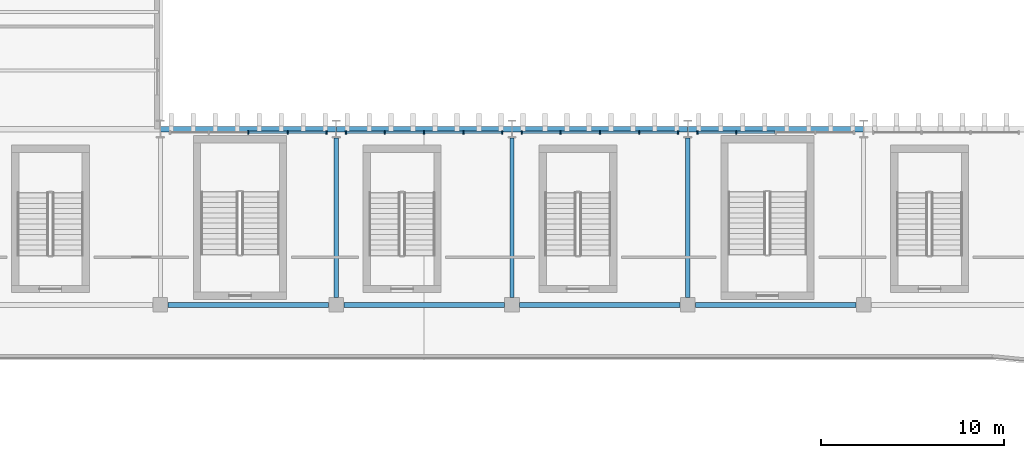
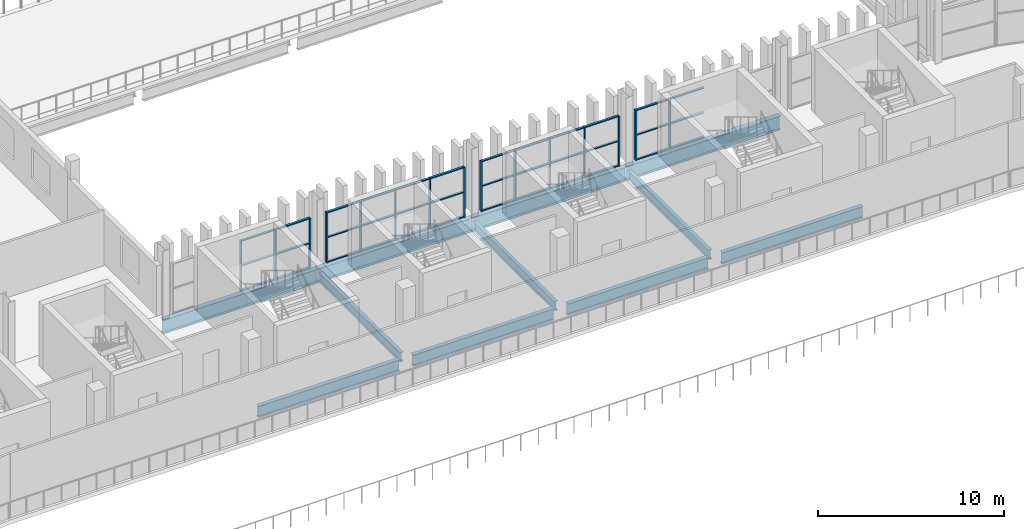
# One storey, part 15 of 75: 51 members, 11 beams, 4 elements without a shape of their own.
"""IFC4 building model written with IfcOpenShell, lengths in metres."""

from ifc_helpers import new_model, si_unit, direction, frame, origin, origin_2d, place, context, subcontext, project, spatial, rectangle, i_section, extrude, material, layer, layer_set, material_profile, profile_set, type_object, element, aggregate, save


model = new_model("IFC4")

# Units and contexts
model_context = context("Model", 3, precision=1e-05, world=origin(), true_north=direction((0.0, 1.0)))
body_context = subcontext(model_context, "Body", "Model", "MODEL_VIEW")
ifc_project = project(units=[si_unit("LENGTHUNIT", "METRE"), si_unit("AREAUNIT", "SQUARE_METRE"), si_unit("VOLUMEUNIT", "CUBIC_METRE"), si_unit("PLANEANGLEUNIT", "RADIAN"), si_unit("MASSUNIT", "GRAM", prefix="KILO")], contexts=[model_context])

# Site, building, storey
site_placement = place(None, origin())
site = spatial("IfcSite", under=ifc_project, at=site_placement, CompositionType="ELEMENT")
building_placement = place(site_placement, origin())
building = spatial("IfcBuilding", under=site, at=building_placement, Name="Caelomonte Colonnade Arena", CompositionType="ELEMENT")
storey_placement = place(building_placement, frame((0.0, 0.0, 14.10009765625)))
storey = spatial("IfcBuildingStorey", under=building, at=storey_placement, Name="L03", CompositionType="ELEMENT", Elevation=14.10009765625)

# Curtain wall, members
ifc_material_1 = material(Name="Bronze anodised aluminium and low-E glazing", Category="aluminium")
ifc_layer = layer(ifc_material_1, 0.179931640625)
ifc_layer_set = layer_set([ifc_layer], Name="Bronze anodised aluminium and low-E glazing")
curtain_wall_type = type_object("IfcCurtainWallType", Name="ENV-CW-CW-L03-96-33", PredefinedType="USERDEFINED", material=ifc_layer_set)
curtain_wall_1_placement = place(storey_placement, origin())
curtain_wall_1 = element("IfcCurtainWall", 1, at=curtain_wall_1_placement, inside=storey, type_object=curtain_wall_type, Name="L03 unitized curtain wall CW-L03-1296-1150", ObjectType="UNITIZED CURTAIN WALL", PredefinedType="USERDEFINED")
ifc_material_2 = material(Name="Bronze anodised aluminium AA6063-T6", Category="aluminium")
ifc_material_profile_1 = material_profile(ifc_material_2, rectangle(XDim=0.070068359375, YDim=0.179931640625, at=origin_2d()), Name="CWM-70X180")
ifc_profile_set_1 = profile_set([ifc_material_profile_1], Name="Bronze anodised aluminium AA6063-T6")
member_type_1 = type_object("IfcMemberType", Name="ENV-CW-MULL1", PredefinedType="MULLION", material=ifc_profile_set_1)
member_1_placement = place(storey_placement, frame((127.44677734375, 115.02001953125, 0.0), z_axis=(0.0, 0.0, 1.0), x_axis=(-1.0, 0.0, 0.0)))
member_1 = element("IfcMember", 2, at=member_1_placement, type_object=member_type_1, Name="CW-L03-96-33 mullion 4", PredefinedType="MULLION", context=body_context, shape_type="SweptSolid", body=[
    extrude(rectangle(XDim=0.070068359375, YDim=0.179931640625, at=origin_2d()), origin(), (0.0, 0.0, 1.0), 3.312744140625),
])
member_2_placement = place(storey_placement, frame((125.32861328125, 115.02001953125, 0.0), z_axis=(0.0, 0.0, 1.0), x_axis=(-1.0, 0.0, 0.0)))
member_2 = element("IfcMember", 3, at=member_2_placement, type_object=member_type_1, Name="CW-L03-96-33 mullion 5", PredefinedType="MULLION", context=body_context, shape_type="SweptSolid", body=[
    extrude(rectangle(XDim=0.070068359375, YDim=0.179931640625, at=origin_2d()), origin(), (0.0, 0.0, 1.0), 3.312744140625),
])

curtain_wall_2_placement = place(storey_placement, origin())
curtain_wall_2 = element("IfcCurtainWall", 4, at=curtain_wall_2_placement, inside=storey, type_object=curtain_wall_type, Name="L03 unitized curtain wall CW-L03-1200-1150", ObjectType="UNITIZED CURTAIN WALL", PredefinedType="USERDEFINED")
member_3_placement = place(storey_placement, frame((124.271240234375, 115.02001953125, 0.0), z_axis=(0.0, 0.0, 1.0), x_axis=(-1.0, 0.0, 0.0)))
member_3 = element("IfcMember", 5, at=member_3_placement, type_object=member_type_1, Name="CW-L03-96-33 mullion 1", PredefinedType="MULLION", context=body_context, shape_type="SweptSolid", body=[
    extrude(rectangle(XDim=0.070068359375, YDim=0.179931640625, at=origin_2d()), origin(), (0.0, 0.0, 1.0), 3.312744140625),
])
member_4_placement = place(storey_placement, frame((122.153076171875, 115.02001953125, 0.0), z_axis=(0.0, 0.0, 1.0), x_axis=(-1.0, 0.0, 0.0)))
member_4 = element("IfcMember", 6, at=member_4_placement, type_object=member_type_1, Name="CW-L03-96-33 mullion 2", PredefinedType="MULLION", context=body_context, shape_type="SweptSolid", body=[
    extrude(rectangle(XDim=0.070068359375, YDim=0.179931640625, at=origin_2d()), origin(), (0.0, 0.0, 1.0), 3.312744140625),
])
member_5_placement = place(storey_placement, frame((120.0, 115.02001953125, 0.0), z_axis=(0.0, 0.0, 1.0), x_axis=(-1.0, 0.0, 0.0)))
member_5 = element("IfcMember", 7, at=member_5_placement, type_object=member_type_1, Name="CW-L03-96-33 mullion 3", PredefinedType="MULLION", context=body_context, shape_type="SweptSolid", body=[
    extrude(rectangle(XDim=0.070068359375, YDim=0.179931640625, at=origin_2d()), origin(), (0.0, 0.0, 1.0), 3.312744140625),
])
member_6_placement = place(storey_placement, frame((117.846923828125, 115.02001953125, 0.0), z_axis=(0.0, 0.0, 1.0), x_axis=(-1.0, 0.0, 0.0)))
member_6 = element("IfcMember", 8, at=member_6_placement, type_object=member_type_1, Name="CW-L03-96-33 mullion 4", PredefinedType="MULLION", context=body_context, shape_type="SweptSolid", body=[
    extrude(rectangle(XDim=0.070068359375, YDim=0.179931640625, at=origin_2d()), origin(), (0.0, 0.0, 1.0), 3.312744140625),
])
member_7_placement = place(storey_placement, frame((115.728759765625, 115.02001953125, 0.0), z_axis=(0.0, 0.0, 1.0), x_axis=(-1.0, 0.0, 0.0)))
member_7 = element("IfcMember", 9, at=member_7_placement, type_object=member_type_1, Name="CW-L03-96-33 mullion 5", PredefinedType="MULLION", context=body_context, shape_type="SweptSolid", body=[
    extrude(rectangle(XDim=0.070068359375, YDim=0.179931640625, at=origin_2d()), origin(), (0.0, 0.0, 1.0), 3.312744140625),
])

curtain_wall_3_placement = place(storey_placement, origin())
curtain_wall_3 = element("IfcCurtainWall", 10, at=curtain_wall_3_placement, inside=storey, type_object=curtain_wall_type, Name="L03 unitized curtain wall CW-L03-1104-1150", ObjectType="UNITIZED CURTAIN WALL", PredefinedType="USERDEFINED")
member_8_placement = place(storey_placement, frame((114.67138671875, 115.02001953125, 0.0), z_axis=(0.0, 0.0, 1.0), x_axis=(-1.0, 0.0, 0.0)))
member_8 = element("IfcMember", 11, at=member_8_placement, type_object=member_type_1, Name="CW-L03-96-33 mullion 1", PredefinedType="MULLION", context=body_context, shape_type="SweptSolid", body=[
    extrude(rectangle(XDim=0.070068359375, YDim=0.179931640625, at=origin_2d()), origin(), (0.0, 0.0, 1.0), 3.312744140625),
])
member_9_placement = place(storey_placement, frame((112.55322265625, 115.02001953125, 0.0), z_axis=(0.0, 0.0, 1.0), x_axis=(-1.0, 0.0, 0.0)))
member_9 = element("IfcMember", 12, at=member_9_placement, type_object=member_type_1, Name="CW-L03-96-33 mullion 2", PredefinedType="MULLION", context=body_context, shape_type="SweptSolid", body=[
    extrude(rectangle(XDim=0.070068359375, YDim=0.179931640625, at=origin_2d()), origin(), (0.0, 0.0, 1.0), 3.312744140625),
])
member_10_placement = place(storey_placement, frame((110.39990234375, 115.02001953125, 0.0), z_axis=(0.0, 0.0, 1.0), x_axis=(-1.0, 0.0, 0.0)))
member_10 = element("IfcMember", 13, at=member_10_placement, type_object=member_type_1, Name="CW-L03-96-33 mullion 3", PredefinedType="MULLION", context=body_context, shape_type="SweptSolid", body=[
    extrude(rectangle(XDim=0.070068359375, YDim=0.179931640625, at=origin_2d()), origin(), (0.0, 0.0, 1.0), 3.312744140625),
])
member_11_placement = place(storey_placement, frame((108.246826171875, 115.02001953125, 0.0), z_axis=(0.0, 0.0, 1.0), x_axis=(-1.0, 0.0, 0.0)))
member_11 = element("IfcMember", 14, at=member_11_placement, type_object=member_type_1, Name="CW-L03-96-33 mullion 4", PredefinedType="MULLION", context=body_context, shape_type="SweptSolid", body=[
    extrude(rectangle(XDim=0.070068359375, YDim=0.179931640625, at=origin_2d()), origin(), (0.0, 0.0, 1.0), 3.312744140625),
])
member_12_placement = place(storey_placement, frame((106.128662109375, 115.02001953125, 0.0), z_axis=(0.0, 0.0, 1.0), x_axis=(-1.0, 0.0, 0.0)))
member_12 = element("IfcMember", 15, at=member_12_placement, type_object=member_type_1, Name="CW-L03-96-33 mullion 5", PredefinedType="MULLION", context=body_context, shape_type="SweptSolid", body=[
    extrude(rectangle(XDim=0.070068359375, YDim=0.179931640625, at=origin_2d()), origin(), (0.0, 0.0, 1.0), 3.312744140625),
])

curtain_wall_4_placement = place(storey_placement, origin())
curtain_wall_4 = element("IfcCurtainWall", 16, at=curtain_wall_4_placement, inside=storey, type_object=curtain_wall_type, Name="L03 unitized curtain wall CW-L03-1008-1150", ObjectType="UNITIZED CURTAIN WALL", PredefinedType="USERDEFINED")
member_13_placement = place(storey_placement, frame((105.0712890625, 115.02001953125, 0.0), z_axis=(0.0, 0.0, 1.0), x_axis=(-1.0, 0.0, 0.0)))
member_13 = element("IfcMember", 17, at=member_13_placement, type_object=member_type_1, Name="CW-L03-96-33 mullion 1", PredefinedType="MULLION", context=body_context, shape_type="SweptSolid", body=[
    extrude(rectangle(XDim=0.070068359375, YDim=0.179931640625, at=origin_2d()), origin(), (0.0, 0.0, 1.0), 3.312744140625),
])
member_14_placement = place(storey_placement, frame((102.953125, 115.02001953125, 0.0), z_axis=(0.0, 0.0, 1.0), x_axis=(-1.0, 0.0, 0.0)))
member_14 = element("IfcMember", 18, at=member_14_placement, type_object=member_type_1, Name="CW-L03-96-33 mullion 2", PredefinedType="MULLION", context=body_context, shape_type="SweptSolid", body=[
    extrude(rectangle(XDim=0.070068359375, YDim=0.179931640625, at=origin_2d()), origin(), (0.0, 0.0, 1.0), 3.312744140625),
])
member_15_placement = place(storey_placement, frame((100.800048828125, 115.02001953125, 0.0), z_axis=(0.0, 0.0, 1.0), x_axis=(-1.0, 0.0, 0.0)))
member_15 = element("IfcMember", 19, at=member_15_placement, type_object=member_type_1, Name="CW-L03-96-33 mullion 3", PredefinedType="MULLION", context=body_context, shape_type="SweptSolid", body=[
    extrude(rectangle(XDim=0.070068359375, YDim=0.179931640625, at=origin_2d()), origin(), (0.0, 0.0, 1.0), 3.312744140625),
])

# Member
ifc_material_profile_2 = material_profile(ifc_material_2, rectangle(XDim=0.070068359375, YDim=0.139892578125, at=origin_2d()), Name="CWT-70X140")
ifc_profile_set_2 = profile_set([ifc_material_profile_2], Name="Bronze anodised aluminium AA6063-T6")
member_type_2 = type_object("IfcMemberType", Name="ENV-CW-TRAN1", PredefinedType="USERDEFINED", material=ifc_profile_set_2)
member_16_placement = place(storey_placement, frame((129.56494140625, 115.02001953125, 0.034912109375), z_axis=(-1.0, 0.0, 0.0), x_axis=(0.0, 0.0, 1.0)))
member_16 = element("IfcMember", 20, at=member_16_placement, type_object=member_type_2, Name="CW-L03-96-33 transom 3.1", ObjectType="TRANSOM", PredefinedType="USERDEFINED", context=body_context, shape_type="SweptSolid", body=[
    extrude(rectangle(XDim=0.070068359375, YDim=0.139892578125, at=origin_2d()), origin(), (0.0, 0.0, 1.0), 2.0830078125),
])

member_17_placement = place(storey_placement, frame((129.56494140625, 115.02001953125, 1.65625), z_axis=(-1.0, 0.0, 0.0), x_axis=(0.0, 0.0, 1.0)))
member_17 = element("IfcMember", 21, at=member_17_placement, type_object=member_type_2, Name="CW-L03-96-33 transom 3.2", ObjectType="TRANSOM", PredefinedType="USERDEFINED", context=body_context, shape_type="SweptSolid", body=[
    extrude(rectangle(XDim=0.070068359375, YDim=0.139892578125, at=origin_2d()), origin(), (0.0, 0.0, 1.0), 2.0830078125),
])

member_18_placement = place(storey_placement, frame((129.56494140625, 115.02001953125, 3.277587890625), z_axis=(-1.0, 0.0, 0.0), x_axis=(0.0, 0.0, 1.0)))
member_18 = element("IfcMember", 22, at=member_18_placement, type_object=member_type_2, Name="CW-L03-96-33 transom 3.3", ObjectType="TRANSOM", PredefinedType="USERDEFINED", context=body_context, shape_type="SweptSolid", body=[
    extrude(rectangle(XDim=0.070068359375, YDim=0.139892578125, at=origin_2d()), origin(), (0.0, 0.0, 1.0), 2.0830078125),
])

member_19_placement = place(storey_placement, frame((127.411865234375, 115.02001953125, 0.034912109375), z_axis=(-1.0, 0.0, 0.0), x_axis=(0.0, 0.0, 1.0)))
member_19 = element("IfcMember", 23, at=member_19_placement, type_object=member_type_2, Name="CW-L03-96-33 transom 4.1", ObjectType="TRANSOM", PredefinedType="USERDEFINED", context=body_context, shape_type="SweptSolid", body=[
    extrude(rectangle(XDim=0.070068359375, YDim=0.139892578125, at=origin_2d()), origin(), (0.0, 0.0, 1.0), 2.048095703125),
])

member_20_placement = place(storey_placement, frame((127.411865234375, 115.02001953125, 1.65625), z_axis=(-1.0, 0.0, 0.0), x_axis=(0.0, 0.0, 1.0)))
member_20 = element("IfcMember", 24, at=member_20_placement, type_object=member_type_2, Name="CW-L03-96-33 transom 4.2", ObjectType="TRANSOM", PredefinedType="USERDEFINED", context=body_context, shape_type="SweptSolid", body=[
    extrude(rectangle(XDim=0.070068359375, YDim=0.139892578125, at=origin_2d()), origin(), (0.0, 0.0, 1.0), 2.048095703125),
])

member_21_placement = place(storey_placement, frame((127.411865234375, 115.02001953125, 3.277587890625), z_axis=(-1.0, 0.0, 0.0), x_axis=(0.0, 0.0, 1.0)))
member_21 = element("IfcMember", 25, at=member_21_placement, type_object=member_type_2, Name="CW-L03-96-33 transom 4.3", ObjectType="TRANSOM", PredefinedType="USERDEFINED", context=body_context, shape_type="SweptSolid", body=[
    extrude(rectangle(XDim=0.070068359375, YDim=0.139892578125, at=origin_2d()), origin(), (0.0, 0.0, 1.0), 2.048095703125),
])

aggregate(curtain_wall_1, [member_1, member_2, member_16, member_17, member_18, member_19, member_20, member_21])

member_22_placement = place(storey_placement, frame((124.236328125, 115.02001953125, 0.034912109375), z_axis=(-1.0, 0.0, 0.0), x_axis=(0.0, 0.0, 1.0)))
member_22 = element("IfcMember", 26, at=member_22_placement, type_object=member_type_2, Name="CW-L03-96-33 transom 1.1", ObjectType="TRANSOM", PredefinedType="USERDEFINED", context=body_context, shape_type="SweptSolid", body=[
    extrude(rectangle(XDim=0.070068359375, YDim=0.139892578125, at=origin_2d()), origin(), (0.0, 0.0, 1.0), 2.048095703125),
])

member_23_placement = place(storey_placement, frame((124.236328125, 115.02001953125, 1.65625), z_axis=(-1.0, 0.0, 0.0), x_axis=(0.0, 0.0, 1.0)))
member_23 = element("IfcMember", 27, at=member_23_placement, type_object=member_type_2, Name="CW-L03-96-33 transom 1.2", ObjectType="TRANSOM", PredefinedType="USERDEFINED", context=body_context, shape_type="SweptSolid", body=[
    extrude(rectangle(XDim=0.070068359375, YDim=0.139892578125, at=origin_2d()), origin(), (0.0, 0.0, 1.0), 2.048095703125),
])

member_24_placement = place(storey_placement, frame((124.236328125, 115.02001953125, 3.277587890625), z_axis=(-1.0, 0.0, 0.0), x_axis=(0.0, 0.0, 1.0)))
member_24 = element("IfcMember", 28, at=member_24_placement, type_object=member_type_2, Name="CW-L03-96-33 transom 1.3", ObjectType="TRANSOM", PredefinedType="USERDEFINED", context=body_context, shape_type="SweptSolid", body=[
    extrude(rectangle(XDim=0.070068359375, YDim=0.139892578125, at=origin_2d()), origin(), (0.0, 0.0, 1.0), 2.048095703125),
])

member_25_placement = place(storey_placement, frame((122.1181640625, 115.02001953125, 0.034912109375), z_axis=(-1.0, 0.0, 0.0), x_axis=(0.0, 0.0, 1.0)))
member_25 = element("IfcMember", 29, at=member_25_placement, type_object=member_type_2, Name="CW-L03-96-33 transom 2.1", ObjectType="TRANSOM", PredefinedType="USERDEFINED", context=body_context, shape_type="SweptSolid", body=[
    extrude(rectangle(XDim=0.070068359375, YDim=0.139892578125, at=origin_2d()), origin(), (0.0, 0.0, 1.0), 2.083251953125),
])

member_26_placement = place(storey_placement, frame((122.1181640625, 115.02001953125, 1.65625), z_axis=(-1.0, 0.0, 0.0), x_axis=(0.0, 0.0, 1.0)))
member_26 = element("IfcMember", 30, at=member_26_placement, type_object=member_type_2, Name="CW-L03-96-33 transom 2.2", ObjectType="TRANSOM", PredefinedType="USERDEFINED", context=body_context, shape_type="SweptSolid", body=[
    extrude(rectangle(XDim=0.070068359375, YDim=0.139892578125, at=origin_2d()), origin(), (0.0, 0.0, 1.0), 2.083251953125),
])

member_27_placement = place(storey_placement, frame((122.1181640625, 115.02001953125, 3.277587890625), z_axis=(-1.0, 0.0, 0.0), x_axis=(0.0, 0.0, 1.0)))
member_27 = element("IfcMember", 31, at=member_27_placement, type_object=member_type_2, Name="CW-L03-96-33 transom 2.3", ObjectType="TRANSOM", PredefinedType="USERDEFINED", context=body_context, shape_type="SweptSolid", body=[
    extrude(rectangle(XDim=0.070068359375, YDim=0.139892578125, at=origin_2d()), origin(), (0.0, 0.0, 1.0), 2.083251953125),
])

member_28_placement = place(storey_placement, frame((119.965087890625, 115.02001953125, 0.034912109375), z_axis=(-1.0, 0.0, 0.0), x_axis=(0.0, 0.0, 1.0)))
member_28 = element("IfcMember", 32, at=member_28_placement, type_object=member_type_2, Name="CW-L03-96-33 transom 3.1", ObjectType="TRANSOM", PredefinedType="USERDEFINED", context=body_context, shape_type="SweptSolid", body=[
    extrude(rectangle(XDim=0.070068359375, YDim=0.139892578125, at=origin_2d()), origin(), (0.0, 0.0, 1.0), 2.083251953125),
])

member_29_placement = place(storey_placement, frame((119.965087890625, 115.02001953125, 1.65625), z_axis=(-1.0, 0.0, 0.0), x_axis=(0.0, 0.0, 1.0)))
member_29 = element("IfcMember", 33, at=member_29_placement, type_object=member_type_2, Name="CW-L03-96-33 transom 3.2", ObjectType="TRANSOM", PredefinedType="USERDEFINED", context=body_context, shape_type="SweptSolid", body=[
    extrude(rectangle(XDim=0.070068359375, YDim=0.139892578125, at=origin_2d()), origin(), (0.0, 0.0, 1.0), 2.083251953125),
])

member_30_placement = place(storey_placement, frame((119.965087890625, 115.02001953125, 3.277587890625), z_axis=(-1.0, 0.0, 0.0), x_axis=(0.0, 0.0, 1.0)))
member_30 = element("IfcMember", 34, at=member_30_placement, type_object=member_type_2, Name="CW-L03-96-33 transom 3.3", ObjectType="TRANSOM", PredefinedType="USERDEFINED", context=body_context, shape_type="SweptSolid", body=[
    extrude(rectangle(XDim=0.070068359375, YDim=0.139892578125, at=origin_2d()), origin(), (0.0, 0.0, 1.0), 2.083251953125),
])

member_31_placement = place(storey_placement, frame((117.811767578125, 115.02001953125, 0.034912109375), z_axis=(-1.0, 0.0, 0.0), x_axis=(0.0, 0.0, 1.0)))
member_31 = element("IfcMember", 35, at=member_31_placement, type_object=member_type_2, Name="CW-L03-96-33 transom 4.1", ObjectType="TRANSOM", PredefinedType="USERDEFINED", context=body_context, shape_type="SweptSolid", body=[
    extrude(rectangle(XDim=0.070068359375, YDim=0.139892578125, at=origin_2d()), origin(), (0.0, 0.0, 1.0), 2.048095703125),
])

member_32_placement = place(storey_placement, frame((117.811767578125, 115.02001953125, 1.65625), z_axis=(-1.0, 0.0, 0.0), x_axis=(0.0, 0.0, 1.0)))
member_32 = element("IfcMember", 36, at=member_32_placement, type_object=member_type_2, Name="CW-L03-96-33 transom 4.2", ObjectType="TRANSOM", PredefinedType="USERDEFINED", context=body_context, shape_type="SweptSolid", body=[
    extrude(rectangle(XDim=0.070068359375, YDim=0.139892578125, at=origin_2d()), origin(), (0.0, 0.0, 1.0), 2.048095703125),
])

member_33_placement = place(storey_placement, frame((117.811767578125, 115.02001953125, 3.277587890625), z_axis=(-1.0, 0.0, 0.0), x_axis=(0.0, 0.0, 1.0)))
member_33 = element("IfcMember", 37, at=member_33_placement, type_object=member_type_2, Name="CW-L03-96-33 transom 4.3", ObjectType="TRANSOM", PredefinedType="USERDEFINED", context=body_context, shape_type="SweptSolid", body=[
    extrude(rectangle(XDim=0.070068359375, YDim=0.139892578125, at=origin_2d()), origin(), (0.0, 0.0, 1.0), 2.048095703125),
])

aggregate(curtain_wall_2, [member_3, member_4, member_5, member_6, member_7, member_22, member_23, member_24, member_25, member_26, member_27, member_28, member_29, member_30, member_31, member_32, member_33])

member_34_placement = place(storey_placement, frame((114.63623046875, 115.02001953125, 0.034912109375), z_axis=(-1.0, 0.0, 0.0), x_axis=(0.0, 0.0, 1.0)))
member_34 = element("IfcMember", 38, at=member_34_placement, type_object=member_type_2, Name="CW-L03-96-33 transom 1.1", ObjectType="TRANSOM", PredefinedType="USERDEFINED", context=body_context, shape_type="SweptSolid", body=[
    extrude(rectangle(XDim=0.070068359375, YDim=0.139892578125, at=origin_2d()), origin(), (0.0, 0.0, 1.0), 2.048095703125),
])

member_35_placement = place(storey_placement, frame((114.63623046875, 115.02001953125, 1.65625), z_axis=(-1.0, 0.0, 0.0), x_axis=(0.0, 0.0, 1.0)))
member_35 = element("IfcMember", 39, at=member_35_placement, type_object=member_type_2, Name="CW-L03-96-33 transom 1.2", ObjectType="TRANSOM", PredefinedType="USERDEFINED", context=body_context, shape_type="SweptSolid", body=[
    extrude(rectangle(XDim=0.070068359375, YDim=0.139892578125, at=origin_2d()), origin(), (0.0, 0.0, 1.0), 2.048095703125),
])

member_36_placement = place(storey_placement, frame((114.63623046875, 115.02001953125, 3.277587890625), z_axis=(-1.0, 0.0, 0.0), x_axis=(0.0, 0.0, 1.0)))
member_36 = element("IfcMember", 40, at=member_36_placement, type_object=member_type_2, Name="CW-L03-96-33 transom 1.3", ObjectType="TRANSOM", PredefinedType="USERDEFINED", context=body_context, shape_type="SweptSolid", body=[
    extrude(rectangle(XDim=0.070068359375, YDim=0.139892578125, at=origin_2d()), origin(), (0.0, 0.0, 1.0), 2.048095703125),
])

member_37_placement = place(storey_placement, frame((112.51806640625, 115.02001953125, 0.034912109375), z_axis=(-1.0, 0.0, 0.0), x_axis=(0.0, 0.0, 1.0)))
member_37 = element("IfcMember", 41, at=member_37_placement, type_object=member_type_2, Name="CW-L03-96-33 transom 2.1", ObjectType="TRANSOM", PredefinedType="USERDEFINED", context=body_context, shape_type="SweptSolid", body=[
    extrude(rectangle(XDim=0.070068359375, YDim=0.139892578125, at=origin_2d()), origin(), (0.0, 0.0, 1.0), 2.0830078125),
])

member_38_placement = place(storey_placement, frame((112.51806640625, 115.02001953125, 1.65625), z_axis=(-1.0, 0.0, 0.0), x_axis=(0.0, 0.0, 1.0)))
member_38 = element("IfcMember", 42, at=member_38_placement, type_object=member_type_2, Name="CW-L03-96-33 transom 2.2", ObjectType="TRANSOM", PredefinedType="USERDEFINED", context=body_context, shape_type="SweptSolid", body=[
    extrude(rectangle(XDim=0.070068359375, YDim=0.139892578125, at=origin_2d()), origin(), (0.0, 0.0, 1.0), 2.0830078125),
])

member_39_placement = place(storey_placement, frame((112.51806640625, 115.02001953125, 3.277587890625), z_axis=(-1.0, 0.0, 0.0), x_axis=(0.0, 0.0, 1.0)))
member_39 = element("IfcMember", 43, at=member_39_placement, type_object=member_type_2, Name="CW-L03-96-33 transom 2.3", ObjectType="TRANSOM", PredefinedType="USERDEFINED", context=body_context, shape_type="SweptSolid", body=[
    extrude(rectangle(XDim=0.070068359375, YDim=0.139892578125, at=origin_2d()), origin(), (0.0, 0.0, 1.0), 2.0830078125),
])

member_40_placement = place(storey_placement, frame((110.364990234375, 115.02001953125, 0.034912109375), z_axis=(-1.0, 0.0, 0.0), x_axis=(0.0, 0.0, 1.0)))
member_40 = element("IfcMember", 44, at=member_40_placement, type_object=member_type_2, Name="CW-L03-96-33 transom 3.1", ObjectType="TRANSOM", PredefinedType="USERDEFINED", context=body_context, shape_type="SweptSolid", body=[
    extrude(rectangle(XDim=0.070068359375, YDim=0.139892578125, at=origin_2d()), origin(), (0.0, 0.0, 1.0), 2.083251953125),
])

member_41_placement = place(storey_placement, frame((110.364990234375, 115.02001953125, 1.65625), z_axis=(-1.0, 0.0, 0.0), x_axis=(0.0, 0.0, 1.0)))
member_41 = element("IfcMember", 45, at=member_41_placement, type_object=member_type_2, Name="CW-L03-96-33 transom 3.2", ObjectType="TRANSOM", PredefinedType="USERDEFINED", context=body_context, shape_type="SweptSolid", body=[
    extrude(rectangle(XDim=0.070068359375, YDim=0.139892578125, at=origin_2d()), origin(), (0.0, 0.0, 1.0), 2.083251953125),
])

member_42_placement = place(storey_placement, frame((110.364990234375, 115.02001953125, 3.277587890625), z_axis=(-1.0, 0.0, 0.0), x_axis=(0.0, 0.0, 1.0)))
member_42 = element("IfcMember", 46, at=member_42_placement, type_object=member_type_2, Name="CW-L03-96-33 transom 3.3", ObjectType="TRANSOM", PredefinedType="USERDEFINED", context=body_context, shape_type="SweptSolid", body=[
    extrude(rectangle(XDim=0.070068359375, YDim=0.139892578125, at=origin_2d()), origin(), (0.0, 0.0, 1.0), 2.083251953125),
])

member_43_placement = place(storey_placement, frame((108.2119140625, 115.02001953125, 0.034912109375), z_axis=(-1.0, 0.0, 0.0), x_axis=(0.0, 0.0, 1.0)))
member_43 = element("IfcMember", 47, at=member_43_placement, type_object=member_type_2, Name="CW-L03-96-33 transom 4.1", ObjectType="TRANSOM", PredefinedType="USERDEFINED", context=body_context, shape_type="SweptSolid", body=[
    extrude(rectangle(XDim=0.070068359375, YDim=0.139892578125, at=origin_2d()), origin(), (0.0, 0.0, 1.0), 2.048095703125),
])

member_44_placement = place(storey_placement, frame((108.2119140625, 115.02001953125, 1.65625), z_axis=(-1.0, 0.0, 0.0), x_axis=(0.0, 0.0, 1.0)))
member_44 = element("IfcMember", 48, at=member_44_placement, type_object=member_type_2, Name="CW-L03-96-33 transom 4.2", ObjectType="TRANSOM", PredefinedType="USERDEFINED", context=body_context, shape_type="SweptSolid", body=[
    extrude(rectangle(XDim=0.070068359375, YDim=0.139892578125, at=origin_2d()), origin(), (0.0, 0.0, 1.0), 2.048095703125),
])

member_45_placement = place(storey_placement, frame((108.2119140625, 115.02001953125, 3.277587890625), z_axis=(-1.0, 0.0, 0.0), x_axis=(0.0, 0.0, 1.0)))
member_45 = element("IfcMember", 49, at=member_45_placement, type_object=member_type_2, Name="CW-L03-96-33 transom 4.3", ObjectType="TRANSOM", PredefinedType="USERDEFINED", context=body_context, shape_type="SweptSolid", body=[
    extrude(rectangle(XDim=0.070068359375, YDim=0.139892578125, at=origin_2d()), origin(), (0.0, 0.0, 1.0), 2.048095703125),
])

aggregate(curtain_wall_3, [member_8, member_9, member_10, member_11, member_12, member_34, member_35, member_36, member_37, member_38, member_39, member_40, member_41, member_42, member_43, member_44, member_45])

member_46_placement = place(storey_placement, frame((105.036376953125, 115.02001953125, 0.034912109375), z_axis=(-1.0, 0.0, 0.0), x_axis=(0.0, 0.0, 1.0)))
member_46 = element("IfcMember", 50, at=member_46_placement, type_object=member_type_2, Name="CW-L03-96-33 transom 1.1", ObjectType="TRANSOM", PredefinedType="USERDEFINED", context=body_context, shape_type="SweptSolid", body=[
    extrude(rectangle(XDim=0.070068359375, YDim=0.139892578125, at=origin_2d()), origin(), (0.0, 0.0, 1.0), 2.04833984375),
])

member_47_placement = place(storey_placement, frame((105.036376953125, 115.02001953125, 1.65625), z_axis=(-1.0, 0.0, 0.0), x_axis=(0.0, 0.0, 1.0)))
member_47 = element("IfcMember", 51, at=member_47_placement, type_object=member_type_2, Name="CW-L03-96-33 transom 1.2", ObjectType="TRANSOM", PredefinedType="USERDEFINED", context=body_context, shape_type="SweptSolid", body=[
    extrude(rectangle(XDim=0.070068359375, YDim=0.139892578125, at=origin_2d()), origin(), (0.0, 0.0, 1.0), 2.04833984375),
])

member_48_placement = place(storey_placement, frame((105.036376953125, 115.02001953125, 3.277587890625), z_axis=(-1.0, 0.0, 0.0), x_axis=(0.0, 0.0, 1.0)))
member_48 = element("IfcMember", 52, at=member_48_placement, type_object=member_type_2, Name="CW-L03-96-33 transom 1.3", ObjectType="TRANSOM", PredefinedType="USERDEFINED", context=body_context, shape_type="SweptSolid", body=[
    extrude(rectangle(XDim=0.070068359375, YDim=0.139892578125, at=origin_2d()), origin(), (0.0, 0.0, 1.0), 2.04833984375),
])

member_49_placement = place(storey_placement, frame((102.918212890625, 115.02001953125, 0.034912109375), z_axis=(-1.0, 0.0, 0.0), x_axis=(0.0, 0.0, 1.0)))
member_49 = element("IfcMember", 53, at=member_49_placement, type_object=member_type_2, Name="CW-L03-96-33 transom 2.1", ObjectType="TRANSOM", PredefinedType="USERDEFINED", context=body_context, shape_type="SweptSolid", body=[
    extrude(rectangle(XDim=0.070068359375, YDim=0.139892578125, at=origin_2d()), origin(), (0.0, 0.0, 1.0), 2.083251953125),
])

member_50_placement = place(storey_placement, frame((102.918212890625, 115.02001953125, 1.65625), z_axis=(-1.0, 0.0, 0.0), x_axis=(0.0, 0.0, 1.0)))
member_50 = element("IfcMember", 54, at=member_50_placement, type_object=member_type_2, Name="CW-L03-96-33 transom 2.2", ObjectType="TRANSOM", PredefinedType="USERDEFINED", context=body_context, shape_type="SweptSolid", body=[
    extrude(rectangle(XDim=0.070068359375, YDim=0.139892578125, at=origin_2d()), origin(), (0.0, 0.0, 1.0), 2.083251953125),
])

member_51_placement = place(storey_placement, frame((102.918212890625, 115.02001953125, 3.277587890625), z_axis=(-1.0, 0.0, 0.0), x_axis=(0.0, 0.0, 1.0)))
member_51 = element("IfcMember", 55, at=member_51_placement, type_object=member_type_2, Name="CW-L03-96-33 transom 2.3", ObjectType="TRANSOM", PredefinedType="USERDEFINED", context=body_context, shape_type="SweptSolid", body=[
    extrude(rectangle(XDim=0.070068359375, YDim=0.139892578125, at=origin_2d()), origin(), (0.0, 0.0, 1.0), 2.083251953125),
])

aggregate(curtain_wall_4, [member_13, member_14, member_15, member_46, member_47, member_48, member_49, member_50, member_51])

# Beams
ifc_material_3 = material(Name="Wide-flange steel ASTM A992 Grade 50", Category="steel")
ifc_material_profile_3 = material_profile(ifc_material_3, i_section(OverallWidth=0.307861328125, OverallDepth=0.927001953125, WebThickness=0.019287109375, FlangeThickness=0.031982421875, FilletRadius=0.020263671875, at=origin_2d()), Name="W36X194")
ifc_profile_set_3 = profile_set([ifc_material_profile_3], Name="Wide-flange steel ASTM A992 Grade 50")
beam_type_1 = type_object("IfcBeamType", Name="STR-BM-EAVES2", PredefinedType="SPANDREL", material=ifc_profile_set_3)
for number, where, z_axis, x_axis, name in (
    (56, (96.01171875, 115.199951171875, -0.74365234375), (1.0, 0.0, 0.0), (0.0, 1.0, 0.0), "L03 girder BMX-L03-0960-1152"),
    (57, (105.61181640625, 115.199951171875, -0.74365234375), (1.0, 0.0, 0.0), (0.0, 1.0, 0.0), "L03 girder BMX-L03-1056-1152"),
):
    element("IfcBeam", number, at=place(storey_placement, frame(where, z_axis=z_axis, x_axis=x_axis)), inside=storey, type_object=beam_type_1, Name=name, PredefinedType="SPANDREL", context=body_context, shape_type="SweptSolid", body=[
        extrude(i_section(OverallWidth=0.307861328125, OverallDepth=0.927001953125, WebThickness=0.019287109375, FlangeThickness=0.031982421875, FilletRadius=0.020263671875, at=origin_2d()), origin(), (0.0, 0.0, 1.0), 9.576416015625),
    ])
beam_1_placement = place(storey_placement, frame((115.2119140625, 115.199951171875, -0.74365234375), z_axis=(1.0, 0.0, 0.0), x_axis=(0.0, 1.0, 0.0)))
element("IfcBeam", 58, at=beam_1_placement, inside=storey, type_object=beam_type_1, Name="L03 girder BMX-L03-1152-1152", PredefinedType="SPANDREL", context=body_context, shape_type="SweptSolid", body=[
    extrude(i_section(OverallWidth=0.307861328125, OverallDepth=0.927001953125, WebThickness=0.019287109375, FlangeThickness=0.031982421875, FilletRadius=0.020263671875, at=origin_2d()), origin(), (0.0, 0.0, 1.0), 9.576171875),
])
beam_2_placement = place(storey_placement, frame((124.811767578125, 115.199951171875, -0.74365234375), z_axis=(1.0, 0.0, 0.0), x_axis=(0.0, 1.0, 0.0)))
element("IfcBeam", 59, at=beam_2_placement, inside=storey, type_object=beam_type_1, Name="L03 girder BMX-L03-1248-1152", PredefinedType="SPANDREL", context=body_context, shape_type="SweptSolid", body=[
    extrude(i_section(OverallWidth=0.307861328125, OverallDepth=0.927001953125, WebThickness=0.019287109375, FlangeThickness=0.031982421875, FilletRadius=0.020263671875, at=origin_2d()), origin(), (0.0, 0.0, 1.0), 9.576416015625),
])
ifc_material_profile_4 = material_profile(ifc_material_3, i_section(OverallWidth=0.228271484375, OverallDepth=0.607177734375, WebThickness=0.01123046875, FlangeThickness=0.017333984375, FilletRadius=0.0126953125, at=origin_2d()), Name="W24X76")
ifc_profile_set_4 = profile_set([ifc_material_profile_4], Name="Wide-flange steel ASTM A992 Grade 50")
beam_type_2 = type_object("IfcBeamType", Name="STR-BM-GIRD24", PredefinedType="BEAM", material=ifc_profile_set_4)
for number, where, z_axis, x_axis, name in (
    (60, (105.60009765625, 106.01708984375, -0.58349609375), (0.0, 1.0, 0.0), (-1.0, 0.0, 0.0), "L03 girder BMY-L03-1056-1056"),
    (61, (115.199951171875, 106.01708984375, -0.58349609375), (0.0, 1.0, 0.0), (-1.0, 0.0, 0.0), "L03 girder BMY-L03-1152-1056"),
    (62, (124.800048828125, 106.01708984375, -0.58349609375), (0.0, 1.0, 0.0), (-1.0, 0.0, 0.0), "L03 girder BMY-L03-1248-1056"),
):
    element("IfcBeam", number, at=place(storey_placement, frame(where, z_axis=z_axis, x_axis=x_axis)), inside=storey, type_object=beam_type_2, Name=name, PredefinedType="BEAM", context=body_context, shape_type="SweptSolid", body=[
        extrude(i_section(OverallWidth=0.228271484375, OverallDepth=0.607177734375, WebThickness=0.01123046875, FlangeThickness=0.017333984375, FilletRadius=0.0126953125, at=origin_2d()), origin(), (0.0, 0.0, 1.0), 8.685546875),
    ])
ifc_material_profile_5 = material_profile(ifc_material_3, i_section(OverallWidth=0.265380859375, OverallDepth=0.75439453125, WebThickness=0.01318359375, FlangeThickness=0.01708984375, FilletRadius=0.0166015625, at=origin_2d()), Name="W30X99")
ifc_profile_set_5 = profile_set([ifc_material_profile_5], Name="Wide-flange steel ASTM A992 Grade 50")
beam_type_3 = type_object("IfcBeamType", Name="STR-BM-GIRD30B", PredefinedType="BEAM", material=ifc_profile_set_5)
beam_3_placement = place(storey_placement, frame((96.4169921875, 105.60009765625, -0.6572265625), z_axis=(1.0, 0.0, 0.0), x_axis=(0.0, 1.0, 0.0)))
element("IfcBeam", 63, at=beam_3_placement, inside=storey, type_object=beam_type_3, Name="L03 girder BMX-L03-0960-1056", PredefinedType="BEAM", context=body_context, shape_type="SweptSolid", body=[
    extrude(i_section(OverallWidth=0.265380859375, OverallDepth=0.75439453125, WebThickness=0.01318359375, FlangeThickness=0.01708984375, FilletRadius=0.0166015625, at=origin_2d()), origin(), (0.0, 0.0, 1.0), 8.76611328125),
])
beam_4_placement = place(storey_placement, frame((106.01708984375, 105.60009765625, -0.6572265625), z_axis=(1.0, 0.0, 0.0), x_axis=(0.0, 1.0, 0.0)))
element("IfcBeam", 64, at=beam_4_placement, inside=storey, type_object=beam_type_3, Name="L03 girder BMX-L03-1056-1056", PredefinedType="BEAM", context=body_context, shape_type="SweptSolid", body=[
    extrude(i_section(OverallWidth=0.265380859375, OverallDepth=0.75439453125, WebThickness=0.01318359375, FlangeThickness=0.01708984375, FilletRadius=0.0166015625, at=origin_2d()), origin(), (0.0, 0.0, 1.0), 8.765869140625),
])
beam_5_placement = place(storey_placement, frame((115.616943359375, 105.60009765625, -0.6572265625), z_axis=(1.0, 0.0, 0.0), x_axis=(0.0, 1.0, 0.0)))
element("IfcBeam", 65, at=beam_5_placement, inside=storey, type_object=beam_type_3, Name="L03 girder BMX-L03-1152-1056", PredefinedType="BEAM", context=body_context, shape_type="SweptSolid", body=[
    extrude(i_section(OverallWidth=0.265380859375, OverallDepth=0.75439453125, WebThickness=0.01318359375, FlangeThickness=0.01708984375, FilletRadius=0.0166015625, at=origin_2d()), origin(), (0.0, 0.0, 1.0), 8.76611328125),
])
beam_6_placement = place(storey_placement, frame((125.217041015625, 105.60009765625, -0.6572265625), z_axis=(1.0, 0.0, 0.0), x_axis=(0.0, 1.0, 0.0)))
element("IfcBeam", 66, at=beam_6_placement, inside=storey, type_object=beam_type_3, Name="L03 girder BMX-L03-1248-1056", PredefinedType="BEAM", context=body_context, shape_type="SweptSolid", body=[
    extrude(i_section(OverallWidth=0.265380859375, OverallDepth=0.75439453125, WebThickness=0.01318359375, FlangeThickness=0.01708984375, FilletRadius=0.0166015625, at=origin_2d()), origin(), (0.0, 0.0, 1.0), 8.765869140625),
])

save(model, "model.ifc")
